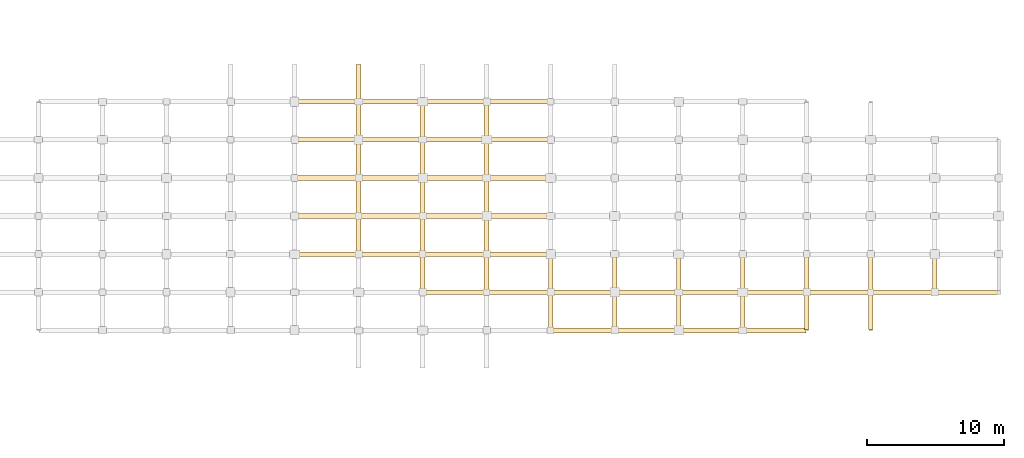
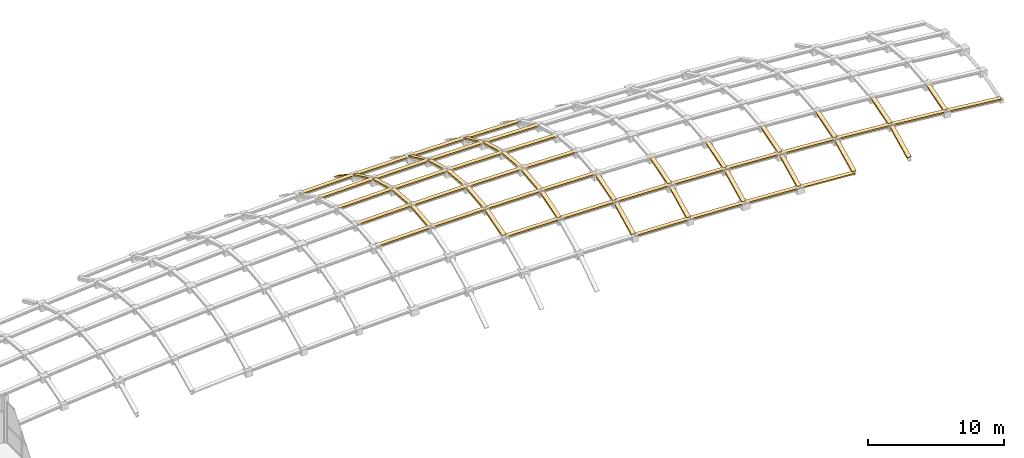
# One storey, part 34 of 36: 61 coverings.
"""IFC4 building model written with IfcOpenShell, lengths in metres."""

from ifc_helpers import new_model, si_unit, direction, frame, origin, place, context, subcontext, project, spatial, polyline, outline, extrude, material, layer, layer_set, type_object, element, save


model = new_model("IFC4")

# Units and contexts
model_context = context("Model", 3, precision=1e-05, world=origin(), true_north=direction((0.0, 1.0)))
body_context = subcontext(model_context, "Body", "Model", "MODEL_VIEW")
ifc_project = project(units=[si_unit("LENGTHUNIT", "METRE"), si_unit("AREAUNIT", "SQUARE_METRE"), si_unit("VOLUMEUNIT", "CUBIC_METRE"), si_unit("PLANEANGLEUNIT", "RADIAN"), si_unit("MASSUNIT", "GRAM", prefix="KILO")], contexts=[model_context])

# Site, building, storey
site_placement = place(None, origin())
site = spatial("IfcSite", under=ifc_project, at=site_placement, CompositionType="ELEMENT")
building_placement = place(site_placement, origin())
building = spatial("IfcBuilding", under=site, at=building_placement, Name="Quillay Park Conservatory", CompositionType="ELEMENT")
storey_placement = place(building_placement, frame((0.0, 0.0, 18.300048828125)))
storey = spatial("IfcBuildingStorey", under=building, at=storey_placement, Name="L04", CompositionType="ELEMENT", Elevation=18.300048828125)

# Coverings
ifc_material = material(Name="Thermally Broken Anodised Aluminium 6063-T6", Category="aluminium")
ifc_layer = layer(ifc_material, 0.090087890625)
ifc_layer_set = layer_set([ifc_layer], Name="GRIDSHELL GLAZING CAP BAR 90 (Thermally Broken Anodised Aluminium 6063-T6)")
covering_type = type_object("IfcCoveringType", Name="GRIDSHELL GLAZING CAP BAR 90", PredefinedType="CLADDING", material=ifc_layer_set)
covering_1_placement = place(storey_placement, frame((67.897216796875, 96.739990234375, 3.21435546875), z_axis=(0.0, -0.105607242225, 0.994407919513), x_axis=(1.0, 0.0, 0.0)))
element("IfcCovering", 1, at=covering_1_placement, inside=storey, type_object=covering_type, Name="Gridshell Transverse Glazing Cap Bar 08-04", PredefinedType="CLADDING", context=body_context, shape_type="SweptSolid", body=[
    extrude(outline(polyline([(0.0, 0.0), (0.35009765625, 0.0), (0.35009765625, 2.7001580951464286), (0.0, 2.7001580951464286), (0.0, 0.0)])), origin(), (0.0, 0.0, -1.0), 0.1201171875),
])
covering_2_placement = place(storey_placement, frame((67.897216796875, 99.52490234375, 3.49951171875), z_axis=(0.0, 0.086957947249, 0.996211983169), x_axis=(1.0, 0.0, 0.0)))
element("IfcCovering", 2, at=covering_2_placement, inside=storey, type_object=covering_type, Name="Gridshell Transverse Glazing Cap Bar 08-05", PredefinedType="CLADDING", context=body_context, shape_type="SweptSolid", body=[
    extrude(outline(polyline([(0.0, 0.0), (0.35009765625, 0.0), (0.35009765625, 2.6952683154921195), (0.0, 2.6952683154921195), (0.0, 0.0)])), origin(), (0.0, 0.0, -1.0), 0.1201171875),
])
covering_3_placement = place(storey_placement, frame((67.897216796875, 102.31005859375, 3.24560546875), z_axis=(0.0, 0.271622278609, 0.962403936901), x_axis=(1.0, 0.0, 0.0)))
element("IfcCovering", 3, at=covering_3_placement, inside=storey, type_object=covering_type, Name="Gridshell Transverse Glazing Cap Bar 08-06", PredefinedType="CLADDING", context=body_context, shape_type="SweptSolid", body=[
    extrude(outline(polyline([(0.0, 0.0), (0.35009765625, 0.0), (0.35009765625, 2.789949719444237), (0.0, 2.789949719444237), (0.0, 0.0)])), origin(), (0.0, 0.0, -1.0), 0.1201171875),
])
covering_4_placement = place(storey_placement, frame((67.897216796875, 105.094970703125, 2.45263671875), z_axis=(0.0, 0.429589332762, 0.903024365772), x_axis=(1.0, 0.0, 0.0)))
element("IfcCovering", 4, at=covering_4_placement, inside=storey, type_object=covering_type, Name="Gridshell Transverse Glazing Cap Bar 08-07", PredefinedType="CLADDING", context=body_context, shape_type="SweptSolid", body=[
    extrude(outline(polyline([(0.0, 0.0), (0.35009765625, 0.0), (0.35009765625, 2.973406582950739), (0.0, 2.973406582950739), (0.0, 0.0)])), origin(), (0.0, 0.0, -1.0), 0.1201171875),
])
covering_5_placement = place(storey_placement, frame((67.897216796875, 107.8798828125, 1.12060546875), z_axis=(0.0, 0.556164150236, 0.83107246254), x_axis=(1.0, 0.0, 0.0)))
element("IfcCovering", 5, at=covering_5_placement, inside=storey, type_object=covering_type, Name="Gridshell Transverse Glazing Cap Bar 08-08", PredefinedType="CLADDING", context=body_context, shape_type="SweptSolid", body=[
    extrude(outline(polyline([(0.0, 0.0), (0.35009765625, 0.0), (0.35009765625, 3.230835715027263), (0.0, 3.230835715027263), (0.0, 0.0)])), origin(), (0.0, 0.0, -1.0), 0.1201171875),
])
covering_6_placement = place(storey_placement, frame((72.574951171875, 93.955078125, 2.42529296875), z_axis=(0.0, -0.285820564514, 0.958283154866), x_axis=(1.0, 0.0, 0.0)))
element("IfcCovering", 6, at=covering_6_placement, inside=storey, type_object=covering_type, Name="Gridshell Transverse Glazing Cap Bar 09-03", PredefinedType="CLADDING", context=body_context, shape_type="SweptSolid", body=[
    extrude(outline(polyline([(0.0, 0.0), (0.35009765625, 0.0), (0.35009765625, 2.8016922132990367), (0.0, 2.8016922132990367), (0.0, 0.0)])), origin(), (0.0, 0.0, -1.0), 0.1201171875),
])
covering_7_placement = place(storey_placement, frame((72.574951171875, 96.739990234375, 3.24560546875), z_axis=(0.0, -0.105607242225, 0.994407919513), x_axis=(1.0, 0.0, 0.0)))
element("IfcCovering", 7, at=covering_7_placement, inside=storey, type_object=covering_type, Name="Gridshell Transverse Glazing Cap Bar 09-04", PredefinedType="CLADDING", context=body_context, shape_type="SweptSolid", body=[
    extrude(outline(polyline([(0.0, 0.0), (0.35009765625, 0.0), (0.35009765625, 2.7001580951464286), (0.0, 2.7001580951464286), (0.0, 0.0)])), origin(), (0.0, 0.0, -1.0), 0.1201171875),
])
covering_8_placement = place(storey_placement, frame((72.574951171875, 99.52490234375, 3.53076171875), z_axis=(0.0, 0.086957947249, 0.996211983169), x_axis=(1.0, 0.0, 0.0)))
element("IfcCovering", 8, at=covering_8_placement, inside=storey, type_object=covering_type, Name="Gridshell Transverse Glazing Cap Bar 09-05", PredefinedType="CLADDING", context=body_context, shape_type="SweptSolid", body=[
    extrude(outline(polyline([(0.0, 0.0), (0.35009765625, 0.0), (0.35009765625, 2.6952683154921195), (0.0, 2.6952683154921195), (0.0, 0.0)])), origin(), (0.0, 0.0, -1.0), 0.1201171875),
])
covering_9_placement = place(storey_placement, frame((72.574951171875, 102.31005859375, 3.27685546875), z_axis=(0.0, 0.271622278609, 0.962403936901), x_axis=(1.0, 0.0, 0.0)))
element("IfcCovering", 9, at=covering_9_placement, inside=storey, type_object=covering_type, Name="Gridshell Transverse Glazing Cap Bar 09-06", PredefinedType="CLADDING", context=body_context, shape_type="SweptSolid", body=[
    extrude(outline(polyline([(0.0, 0.0), (0.35009765625, 0.0), (0.35009765625, 2.789949719444237), (0.0, 2.789949719444237), (0.0, 0.0)])), origin(), (0.0, 0.0, -1.0), 0.1201171875),
])
covering_10_placement = place(storey_placement, frame((72.574951171875, 105.094970703125, 2.48388671875), z_axis=(0.0, 0.429589332762, 0.903024365772), x_axis=(1.0, 0.0, 0.0)))
element("IfcCovering", 10, at=covering_10_placement, inside=storey, type_object=covering_type, Name="Gridshell Transverse Glazing Cap Bar 09-07", PredefinedType="CLADDING", context=body_context, shape_type="SweptSolid", body=[
    extrude(outline(polyline([(0.0, 0.0), (0.35009765625, 0.0), (0.35009765625, 2.973406582950739), (0.0, 2.973406582950739), (0.0, 0.0)])), origin(), (0.0, 0.0, -1.0), 0.1201171875),
])
covering_11_placement = place(storey_placement, frame((77.252685546875, 93.955078125, 2.39404296875), z_axis=(0.0, -0.285820564514, 0.958283154866), x_axis=(1.0, 0.0, 0.0)))
element("IfcCovering", 11, at=covering_11_placement, inside=storey, type_object=covering_type, Name="Gridshell Transverse Glazing Cap Bar 10-03", PredefinedType="CLADDING", context=body_context, shape_type="SweptSolid", body=[
    extrude(outline(polyline([(0.0, 0.0), (0.35009765625, 0.0), (0.35009765625, 2.8016922132990367), (0.0, 2.8016922132990367), (0.0, 0.0)])), origin(), (0.0, 0.0, -1.0), 0.1201171875),
])
covering_12_placement = place(storey_placement, frame((77.252685546875, 96.739990234375, 3.21435546875), z_axis=(0.0, -0.105607242225, 0.994407919513), x_axis=(1.0, 0.0, 0.0)))
element("IfcCovering", 12, at=covering_12_placement, inside=storey, type_object=covering_type, Name="Gridshell Transverse Glazing Cap Bar 10-04", PredefinedType="CLADDING", context=body_context, shape_type="SweptSolid", body=[
    extrude(outline(polyline([(0.0, 0.0), (0.35009765625, 0.0), (0.35009765625, 2.7001580951464286), (0.0, 2.7001580951464286), (0.0, 0.0)])), origin(), (0.0, 0.0, -1.0), 0.1201171875),
])
covering_13_placement = place(storey_placement, frame((77.252685546875, 99.52490234375, 3.49951171875), z_axis=(0.0, 0.086957947249, 0.996211983169), x_axis=(1.0, 0.0, 0.0)))
element("IfcCovering", 13, at=covering_13_placement, inside=storey, type_object=covering_type, Name="Gridshell Transverse Glazing Cap Bar 10-05", PredefinedType="CLADDING", context=body_context, shape_type="SweptSolid", body=[
    extrude(outline(polyline([(0.0, 0.0), (0.35009765625, 0.0), (0.35009765625, 2.6952683154921195), (0.0, 2.6952683154921195), (0.0, 0.0)])), origin(), (0.0, 0.0, -1.0), 0.1201171875),
])
covering_14_placement = place(storey_placement, frame((77.252685546875, 102.31005859375, 3.24560546875), z_axis=(0.0, 0.271622278609, 0.962403936901), x_axis=(1.0, 0.0, 0.0)))
element("IfcCovering", 14, at=covering_14_placement, inside=storey, type_object=covering_type, Name="Gridshell Transverse Glazing Cap Bar 10-06", PredefinedType="CLADDING", context=body_context, shape_type="SweptSolid", body=[
    extrude(outline(polyline([(0.0, 0.0), (0.35009765625, 0.0), (0.35009765625, 2.789949719444237), (0.0, 2.789949719444237), (0.0, 0.0)])), origin(), (0.0, 0.0, -1.0), 0.1201171875),
])
covering_15_placement = place(storey_placement, frame((77.252685546875, 105.094970703125, 2.45263671875), z_axis=(0.0, 0.429589332762, 0.903024365772), x_axis=(1.0, 0.0, 0.0)))
element("IfcCovering", 15, at=covering_15_placement, inside=storey, type_object=covering_type, Name="Gridshell Transverse Glazing Cap Bar 10-07", PredefinedType="CLADDING", context=body_context, shape_type="SweptSolid", body=[
    extrude(outline(polyline([(0.0, 0.0), (0.35009765625, 0.0), (0.35009765625, 2.973406582950739), (0.0, 2.973406582950739), (0.0, 0.0)])), origin(), (0.0, 0.0, -1.0), 0.1201171875),
])
covering_16_placement = place(storey_placement, frame((81.9306640625, 91.169921875, 0.94873046875), z_axis=(0.0, -0.441263645499, 0.897377509837), x_axis=(1.0, 0.0, 0.0)))
element("IfcCovering", 16, at=covering_16_placement, inside=storey, type_object=covering_type, Name="Gridshell Transverse Glazing Cap Bar 11-02", PredefinedType="CLADDING", context=body_context, shape_type="SweptSolid", body=[
    extrude(outline(polyline([(0.0, 0.0), (0.349853515625, 0.0), (0.349853515625, 2.9921171015732284), (0.0, 2.9921171015732284), (0.0, 0.0)])), origin(), (0.0, 0.0, -1.0), 0.1201171875),
])
covering_17_placement = place(storey_placement, frame((81.9306640625, 93.955078125, 2.30810546875), z_axis=(0.0, -0.285820564514, 0.958283154866), x_axis=(1.0, 0.0, 0.0)))
element("IfcCovering", 17, at=covering_17_placement, inside=storey, type_object=covering_type, Name="Gridshell Transverse Glazing Cap Bar 11-03", PredefinedType="CLADDING", context=body_context, shape_type="SweptSolid", body=[
    extrude(outline(polyline([(0.0, 0.0), (0.349853515625, 0.0), (0.349853515625, 2.801692213299037), (0.0, 2.801692213299037), (0.0, 0.0)])), origin(), (0.0, 0.0, -1.0), 0.1201171875),
])
covering_18_placement = place(storey_placement, frame((86.6083984375, 91.169921875, 0.80029296875), z_axis=(0.0, -0.441263645499, 0.897377509837), x_axis=(1.0, 0.0, 0.0)))
element("IfcCovering", 18, at=covering_18_placement, inside=storey, type_object=covering_type, Name="Gridshell Transverse Glazing Cap Bar 12-02", PredefinedType="CLADDING", context=body_context, shape_type="SweptSolid", body=[
    extrude(outline(polyline([(0.0, 0.0), (0.349853515625, 0.0), (0.349853515625, 2.9921171015732284), (0.0, 2.9921171015732284), (0.0, 0.0)])), origin(), (0.0, 0.0, -1.0), 0.1201171875),
])
covering_19_placement = place(storey_placement, frame((86.6083984375, 93.955078125, 2.15966796875), z_axis=(0.0, -0.285820564514, 0.958283154866), x_axis=(1.0, 0.0, 0.0)))
element("IfcCovering", 19, at=covering_19_placement, inside=storey, type_object=covering_type, Name="Gridshell Transverse Glazing Cap Bar 12-03", PredefinedType="CLADDING", context=body_context, shape_type="SweptSolid", body=[
    extrude(outline(polyline([(0.0, 0.0), (0.349853515625, 0.0), (0.349853515625, 2.801692213299037), (0.0, 2.801692213299037), (0.0, 0.0)])), origin(), (0.0, 0.0, -1.0), 0.1201171875),
])
covering_20_placement = place(storey_placement, frame((91.2861328125, 91.169921875, 0.59716796875), z_axis=(0.0, -0.441263645499, 0.897377509837), x_axis=(1.0, 0.0, 0.0)))
element("IfcCovering", 20, at=covering_20_placement, inside=storey, type_object=covering_type, Name="Gridshell Transverse Glazing Cap Bar 13-02", PredefinedType="CLADDING", context=body_context, shape_type="SweptSolid", body=[
    extrude(outline(polyline([(0.0, 0.0), (0.349853515625, 0.0), (0.349853515625, 2.9921171015732284), (0.0, 2.9921171015732284), (0.0, 0.0)])), origin(), (0.0, 0.0, -1.0), 0.1201171875),
])
covering_21_placement = place(storey_placement, frame((91.2861328125, 93.955078125, 1.95654296875), z_axis=(0.0, -0.285820564514, 0.958283154866), x_axis=(1.0, 0.0, 0.0)))
element("IfcCovering", 21, at=covering_21_placement, inside=storey, type_object=covering_type, Name="Gridshell Transverse Glazing Cap Bar 13-03", PredefinedType="CLADDING", context=body_context, shape_type="SweptSolid", body=[
    extrude(outline(polyline([(0.0, 0.0), (0.349853515625, 0.0), (0.349853515625, 2.801692213299037), (0.0, 2.801692213299037), (0.0, 0.0)])), origin(), (0.0, 0.0, -1.0), 0.1201171875),
])
covering_22_placement = place(storey_placement, frame((95.9638671875, 91.169921875, 0.33544921875), z_axis=(0.0, -0.441263645499, 0.897377509837), x_axis=(1.0, 0.0, 0.0)))
element("IfcCovering", 22, at=covering_22_placement, inside=storey, type_object=covering_type, Name="Gridshell Transverse Glazing Cap Bar 14-02", PredefinedType="CLADDING", context=body_context, shape_type="SweptSolid", body=[
    extrude(outline(polyline([(0.0, 0.0), (0.35009765625, 0.0), (0.35009765625, 2.9921171015732284), (0.0, 2.9921171015732284), (0.0, 0.0)])), origin(), (0.0, 0.0, -1.0), 0.1201171875),
])
covering_23_placement = place(storey_placement, frame((95.9638671875, 93.955078125, 1.69482421875), z_axis=(0.0, -0.285820564514, 0.958283154866), x_axis=(1.0, 0.0, 0.0)))
element("IfcCovering", 23, at=covering_23_placement, inside=storey, type_object=covering_type, Name="Gridshell Transverse Glazing Cap Bar 14-03", PredefinedType="CLADDING", context=body_context, shape_type="SweptSolid", body=[
    extrude(outline(polyline([(0.0, 0.0), (0.35009765625, 0.0), (0.35009765625, 2.8016922132990367), (0.0, 2.8016922132990367), (0.0, 0.0)])), origin(), (0.0, 0.0, -1.0), 0.1201171875),
])
covering_24_placement = place(storey_placement, frame((100.6416015625, 91.169921875, 0.01513671875), z_axis=(0.0, -0.441263645499, 0.897377509837), x_axis=(1.0, 0.0, 0.0)))
element("IfcCovering", 24, at=covering_24_placement, inside=storey, type_object=covering_type, Name="Gridshell Transverse Glazing Cap Bar 15-02", PredefinedType="CLADDING", context=body_context, shape_type="SweptSolid", body=[
    extrude(outline(polyline([(0.0, 0.0), (0.35009765625, 0.0), (0.35009765625, 2.9921171015732284), (0.0, 2.9921171015732284), (0.0, 0.0)])), origin(), (0.0, 0.0, -1.0), 0.1201171875),
])
covering_25_placement = place(storey_placement, frame((100.6416015625, 93.955078125, 1.37451171875), z_axis=(0.0, -0.285820564514, 0.958283154866), x_axis=(1.0, 0.0, 0.0)))
element("IfcCovering", 25, at=covering_25_placement, inside=storey, type_object=covering_type, Name="Gridshell Transverse Glazing Cap Bar 15-03", PredefinedType="CLADDING", context=body_context, shape_type="SweptSolid", body=[
    extrude(outline(polyline([(0.0, 0.0), (0.35009765625, 0.0), (0.35009765625, 2.8016922132990367), (0.0, 2.8016922132990367), (0.0, 0.0)])), origin(), (0.0, 0.0, -1.0), 0.1201171875),
])
covering_26_placement = place(storey_placement, frame((105.3193359375, 91.169921875, -0.36376953125), z_axis=(0.0, -0.441263645499, 0.897377509837), x_axis=(1.0, 0.0, 0.0)))
element("IfcCovering", 26, at=covering_26_placement, inside=storey, type_object=covering_type, Name="Gridshell Transverse Glazing Cap Bar 16-02", PredefinedType="CLADDING", context=body_context, shape_type="SweptSolid", body=[
    extrude(outline(polyline([(0.0, 0.0), (0.35009765625, 0.0), (0.35009765625, 2.9921171015732284), (0.0, 2.9921171015732284), (0.0, 0.0)])), origin(), (0.0, 0.0, -1.0), 0.1201171875),
])
covering_27_placement = place(storey_placement, frame((105.3193359375, 93.955078125, 0.99560546875), z_axis=(0.0, -0.285820564514, 0.958283154866), x_axis=(1.0, 0.0, 0.0)))
element("IfcCovering", 27, at=covering_27_placement, inside=storey, type_object=covering_type, Name="Gridshell Transverse Glazing Cap Bar 16-03", PredefinedType="CLADDING", context=body_context, shape_type="SweptSolid", body=[
    extrude(outline(polyline([(0.0, 0.0), (0.35009765625, 0.0), (0.35009765625, 2.8016922132990367), (0.0, 2.8016922132990367), (0.0, 0.0)])), origin(), (0.0, 0.0, -1.0), 0.1201171875),
])
covering_28_placement = place(storey_placement, frame((109.997314453125, 93.955078125, 0.55810546875), z_axis=(0.0, -0.285820564514, 0.958283154866), x_axis=(1.0, 0.0, 0.0)))
element("IfcCovering", 28, at=covering_28_placement, inside=storey, type_object=covering_type, Name="Gridshell Transverse Glazing Cap Bar 17-03", PredefinedType="CLADDING", context=body_context, shape_type="SweptSolid", body=[
    extrude(outline(polyline([(0.0, 0.0), (0.349853515625, 0.0), (0.349853515625, 2.801692213299037), (0.0, 2.801692213299037), (0.0, 0.0)])), origin(), (0.0, 0.0, -1.0), 0.1201171875),
])
covering_29_placement = place(storey_placement, frame((82.155517578125, 90.945068359375, 0.91357421875), z_axis=(0.030703878741, 0.0, 0.999528524771), x_axis=(0.999528524771, 0.0, -0.030703878741)))
element("IfcCovering", 29, at=covering_29_placement, inside=storey, type_object=covering_type, Name="Gridshell Longitudinal Glazing Cap Bar 11-02", PredefinedType="CLADDING", context=body_context, shape_type="SweptSolid", body=[
    extrude(outline(polyline([(0.0, 0.0), (4.580040234894994, 0.0), (4.580040234894994, 0.349853515625), (0.0, 0.349853515625), (0.0, 0.0)])), origin(), (0.0, 0.0, -1.0), 0.1201171875),
])
covering_30_placement = place(storey_placement, frame((86.833251953125, 90.945068359375, 0.76904296875), z_axis=(0.043476530855, 0.0, 0.999054448599), x_axis=(0.999054448599, 0.0, -0.043476530855)))
element("IfcCovering", 30, at=covering_30_placement, inside=storey, type_object=covering_type, Name="Gridshell Longitudinal Glazing Cap Bar 12-02", PredefinedType="CLADDING", context=body_context, shape_type="SweptSolid", body=[
    extrude(outline(polyline([(0.0, 0.0), (4.582213577844616, 0.0), (4.582213577844616, 0.349853515625), (0.0, 0.349853515625), (0.0, 0.0)])), origin(), (0.0, 0.0, -1.0), 0.1201171875),
])
covering_31_placement = place(storey_placement, frame((91.510986328125, 90.945068359375, 0.56591796875), z_axis=(0.056227900695, 0.0, 0.998417960167), x_axis=(0.998417960167, 0.0, -0.056227900695)))
element("IfcCovering", 31, at=covering_31_placement, inside=storey, type_object=covering_type, Name="Gridshell Longitudinal Glazing Cap Bar 13-02", PredefinedType="CLADDING", context=body_context, shape_type="SweptSolid", body=[
    extrude(outline(polyline([(0.0, 0.0), (4.585134725151295, 0.0), (4.585134725151295, 0.349853515625), (0.0, 0.349853515625), (0.0, 0.0)])), origin(), (0.0, 0.0, -1.0), 0.1201171875),
])
covering_32_placement = place(storey_placement, frame((96.18896484375, 90.945068359375, 0.30029296875), z_axis=(0.068108147653, 0.0, 0.99767794414), x_axis=(0.99767794414, 0.0, -0.068108147653)))
element("IfcCovering", 32, at=covering_32_placement, inside=storey, type_object=covering_type, Name="Gridshell Longitudinal Glazing Cap Bar 14-02", PredefinedType="CLADDING", context=body_context, shape_type="SweptSolid", body=[
    extrude(outline(polyline([(0.0, 0.0), (4.588290986723518, 0.0), (4.588290986723518, 0.349853515625), (0.0, 0.349853515625), (0.0, 0.0)])), origin(), (0.0, 0.0, -1.0), 0.1201171875),
])
covering_33_placement = place(storey_placement, frame((72.800048828125, 93.72998046875, 2.40576171875), z_axis=(0.006826507599, 0.0, 0.999976699126), x_axis=(0.999976699126, 0.0, -0.006826507599)))
element("IfcCovering", 33, at=covering_33_placement, inside=storey, type_object=covering_type, Name="Gridshell Longitudinal Glazing Cap Bar 09-03", PredefinedType="CLADDING", context=body_context, shape_type="SweptSolid", body=[
    extrude(outline(polyline([(0.0, 0.0), (4.577743384173939, 0.0), (4.577743384173939, 0.35009765625), (0.0, 0.35009765625), (0.0, 0.0)])), origin(), (0.0, 0.0, -1.0), 0.1201171875),
])
covering_34_placement = place(storey_placement, frame((77.477783203125, 93.72998046875, 2.37451171875), z_axis=(0.018769025327, 0.0, 0.999823846329), x_axis=(0.999823846329, 0.0, -0.018769025327)))
element("IfcCovering", 34, at=covering_34_placement, inside=storey, type_object=covering_type, Name="Gridshell Longitudinal Glazing Cap Bar 10-03", PredefinedType="CLADDING", context=body_context, shape_type="SweptSolid", body=[
    extrude(outline(polyline([(0.0, 0.0), (4.578687411970623, 0.0), (4.578687411970623, 0.35009765625), (0.0, 0.35009765625), (0.0, 0.0)])), origin(), (0.0, 0.0, -1.0), 0.1201171875),
])
covering_35_placement = place(storey_placement, frame((82.155517578125, 93.72998046875, 2.28466796875), z_axis=(0.030703878741, 0.0, 0.999528524771), x_axis=(0.999528524771, 0.0, -0.030703878741)))
element("IfcCovering", 35, at=covering_35_placement, inside=storey, type_object=covering_type, Name="Gridshell Longitudinal Glazing Cap Bar 11-03", PredefinedType="CLADDING", context=body_context, shape_type="SweptSolid", body=[
    extrude(outline(polyline([(0.0, 0.0), (4.580040234894994, 0.0), (4.580040234894994, 0.35009765625), (0.0, 0.35009765625), (0.0, 0.0)])), origin(), (0.0, 0.0, -1.0), 0.1201171875),
])
covering_36_placement = place(storey_placement, frame((86.833251953125, 93.72998046875, 2.14013671875), z_axis=(0.043476530855, 0.0, 0.999054448599), x_axis=(0.999054448599, 0.0, -0.043476530855)))
element("IfcCovering", 36, at=covering_36_placement, inside=storey, type_object=covering_type, Name="Gridshell Longitudinal Glazing Cap Bar 12-03", PredefinedType="CLADDING", context=body_context, shape_type="SweptSolid", body=[
    extrude(outline(polyline([(0.0, 0.0), (4.582213577844616, 0.0), (4.582213577844616, 0.35009765625000006), (0.0, 0.35009765625000006), (0.0, 0.0)])), origin(), (0.0, 0.0, -1.0), 0.1201171875),
])
covering_37_placement = place(storey_placement, frame((91.510986328125, 93.72998046875, 1.93701171875), z_axis=(0.056227900695, 0.0, 0.998417960167), x_axis=(0.998417960167, 0.0, -0.056227900695)))
element("IfcCovering", 37, at=covering_37_placement, inside=storey, type_object=covering_type, Name="Gridshell Longitudinal Glazing Cap Bar 13-03", PredefinedType="CLADDING", context=body_context, shape_type="SweptSolid", body=[
    extrude(outline(polyline([(0.0, 0.0), (4.585134725151295, 0.0), (4.585134725151295, 0.35009765625), (0.0, 0.35009765625), (0.0, 0.0)])), origin(), (0.0, 0.0, -1.0), 0.1201171875),
])
covering_38_placement = place(storey_placement, frame((96.18896484375, 93.72998046875, 1.67138671875), z_axis=(0.068108147653, 0.0, 0.99767794414), x_axis=(0.99767794414, 0.0, -0.068108147653)))
element("IfcCovering", 38, at=covering_38_placement, inside=storey, type_object=covering_type, Name="Gridshell Longitudinal Glazing Cap Bar 14-03", PredefinedType="CLADDING", context=body_context, shape_type="SweptSolid", body=[
    extrude(outline(polyline([(0.0, 0.0), (4.588290986723518, 0.0), (4.588290986723518, 0.35009765625), (0.0, 0.35009765625), (0.0, 0.0)])), origin(), (0.0, 0.0, -1.0), 0.1201171875),
])
covering_39_placement = place(storey_placement, frame((100.86669921875, 93.72998046875, 1.35107421875), z_axis=(0.080801595311, 0.0, 0.996730205319), x_axis=(0.996730205319, 0.0, -0.080801595311)))
element("IfcCovering", 39, at=covering_39_placement, inside=storey, type_object=covering_type, Name="Gridshell Longitudinal Glazing Cap Bar 15-03", PredefinedType="CLADDING", context=body_context, shape_type="SweptSolid", body=[
    extrude(outline(polyline([(0.0, 0.0), (4.592653753565289, 0.0), (4.592653753565289, 0.35009765625), (0.0, 0.35009765625), (0.0, 0.0)])), origin(), (0.0, 0.0, -1.0), 0.1201171875),
])
covering_40_placement = place(storey_placement, frame((105.54443359375, 93.72998046875, 0.97216796875), z_axis=(0.093450911608, 0.0, 0.995623888383), x_axis=(0.995623888383, 0.0, -0.093450911608)))
element("IfcCovering", 40, at=covering_40_placement, inside=storey, type_object=covering_type, Name="Gridshell Longitudinal Glazing Cap Bar 16-03", PredefinedType="CLADDING", context=body_context, shape_type="SweptSolid", body=[
    extrude(outline(polyline([(0.0, 0.0), (4.5980022303483326, 0.0), (4.5980022303483326, 0.35009765624999994), (0.0, 0.35009765624999994), (0.0, 0.0)])), origin(), (0.0, 0.0, -1.0), 0.1201171875),
])
covering_41_placement = place(storey_placement, frame((110.22216796875, 93.72998046875, 0.53466796875), z_axis=(0.105220344611, 0.0, 0.994448932364), x_axis=(0.994448932364, 0.0, -0.105220344611)))
element("IfcCovering", 41, at=covering_41_placement, inside=storey, type_object=covering_type, Name="Gridshell Longitudinal Glazing Cap Bar 17-03", PredefinedType="CLADDING", context=body_context, shape_type="SweptSolid", body=[
    extrude(outline(polyline([(0.0, 0.0), (4.603434837516112, 0.0), (4.603434837516112, 0.35009765625), (0.0, 0.35009765625), (0.0, 0.0)])), origin(), (0.0, 0.0, -1.0), 0.1201171875),
])
covering_42_placement = place(storey_placement, frame((63.4443359375, 96.514892578125, 3.12060546875), z_axis=(-0.018769025327, 0.0, 0.999823846329), x_axis=(0.999823846329, 0.0, 0.018769025327)))
element("IfcCovering", 42, at=covering_42_placement, inside=storey, type_object=covering_type, Name="Gridshell Longitudinal Glazing Cap Bar 07-04", PredefinedType="CLADDING", context=body_context, shape_type="SweptSolid", body=[
    extrude(outline(polyline([(0.0, 0.0), (4.578687411970623, 0.0), (4.578687411970623, 0.35009765625), (0.0, 0.35009765625), (0.0, 0.0)])), origin(), (0.0, 0.0, -1.0), 0.1201171875),
])
for number, where, z_axis, x_axis, name in (
    (43, (68.122314453125, 96.514892578125, 3.20654296875), (-0.006826507599, 0.0, 0.999976699126), (0.999976699126, 0.0, 0.006826507599), "Gridshell Longitudinal Glazing Cap Bar 08-04"),
    (44, (72.800048828125, 96.514892578125, 3.23779296875), (0.006826507599, 0.0, 0.999976699126), (0.999976699126, 0.0, -0.006826507599), "Gridshell Longitudinal Glazing Cap Bar 09-04"),
):
    element("IfcCovering", number, at=place(storey_placement, frame(where, z_axis=z_axis, x_axis=x_axis)), inside=storey, type_object=covering_type, Name=name, PredefinedType="CLADDING", context=body_context, shape_type="SweptSolid", body=[
        extrude(outline(polyline([(0.0, 0.0), (4.577743384173939, 0.0), (4.577743384173939, 0.35009765625), (0.0, 0.35009765625), (0.0, 0.0)])), origin(), (0.0, 0.0, -1.0), 0.1201171875),
    ])
covering_43_placement = place(storey_placement, frame((77.477783203125, 96.514892578125, 3.20654296875), z_axis=(0.018769025327, 0.0, 0.999823846329), x_axis=(0.999823846329, 0.0, -0.018769025327)))
element("IfcCovering", 45, at=covering_43_placement, inside=storey, type_object=covering_type, Name="Gridshell Longitudinal Glazing Cap Bar 10-04", PredefinedType="CLADDING", context=body_context, shape_type="SweptSolid", body=[
    extrude(outline(polyline([(0.0, 0.0), (4.578687411970623, 0.0), (4.578687411970623, 0.35009765625), (0.0, 0.35009765625), (0.0, 0.0)])), origin(), (0.0, 0.0, -1.0), 0.1201171875),
])
covering_44_placement = place(storey_placement, frame((63.4443359375, 99.300048828125, 3.41357421875), z_axis=(-0.018769025327, 0.0, 0.999823846329), x_axis=(0.999823846329, 0.0, 0.018769025327)))
element("IfcCovering", 46, at=covering_44_placement, inside=storey, type_object=covering_type, Name="Gridshell Longitudinal Glazing Cap Bar 07-05", PredefinedType="CLADDING", context=body_context, shape_type="SweptSolid", body=[
    extrude(outline(polyline([(0.0, 0.0), (4.578687411970623, 0.0), (4.578687411970623, 0.349853515625), (0.0, 0.349853515625), (0.0, 0.0)])), origin(), (0.0, 0.0, -1.0), 0.1201171875),
])
for number, where, z_axis, x_axis, name in (
    (47, (68.122314453125, 99.300048828125, 3.49951171875), (-0.006826507599, 0.0, 0.999976699126), (0.999976699126, 0.0, 0.006826507599), "Gridshell Longitudinal Glazing Cap Bar 08-05"),
    (48, (72.800048828125, 99.300048828125, 3.53076171875), (0.006826507599, 0.0, 0.999976699126), (0.999976699126, 0.0, -0.006826507599), "Gridshell Longitudinal Glazing Cap Bar 09-05"),
):
    element("IfcCovering", number, at=place(storey_placement, frame(where, z_axis=z_axis, x_axis=x_axis)), inside=storey, type_object=covering_type, Name=name, PredefinedType="CLADDING", context=body_context, shape_type="SweptSolid", body=[
        extrude(outline(polyline([(0.0, 0.0), (4.577743384173939, 0.0), (4.577743384173939, 0.349853515625), (0.0, 0.349853515625), (0.0, 0.0)])), origin(), (0.0, 0.0, -1.0), 0.1201171875),
    ])
covering_45_placement = place(storey_placement, frame((77.477783203125, 99.300048828125, 3.49951171875), z_axis=(0.018769025327, 0.0, 0.999823846329), x_axis=(0.999823846329, 0.0, -0.018769025327)))
element("IfcCovering", 49, at=covering_45_placement, inside=storey, type_object=covering_type, Name="Gridshell Longitudinal Glazing Cap Bar 10-05", PredefinedType="CLADDING", context=body_context, shape_type="SweptSolid", body=[
    extrude(outline(polyline([(0.0, 0.0), (4.578687411970623, 0.0), (4.578687411970623, 0.349853515625), (0.0, 0.349853515625), (0.0, 0.0)])), origin(), (0.0, 0.0, -1.0), 0.1201171875),
])
covering_46_placement = place(storey_placement, frame((63.4443359375, 102.0849609375, 3.16748046875), z_axis=(-0.018769025327, 0.0, 0.999823846329), x_axis=(0.999823846329, 0.0, 0.018769025327)))
element("IfcCovering", 50, at=covering_46_placement, inside=storey, type_object=covering_type, Name="Gridshell Longitudinal Glazing Cap Bar 07-06", PredefinedType="CLADDING", context=body_context, shape_type="SweptSolid", body=[
    extrude(outline(polyline([(0.0, 0.0), (4.578687411970623, 0.0), (4.578687411970623, 0.35009765625), (0.0, 0.35009765625), (0.0, 0.0)])), origin(), (0.0, 0.0, -1.0), 0.1201171875),
])
for number, where, z_axis, x_axis, name in (
    (51, (68.122314453125, 102.0849609375, 3.25341796875), (-0.006826507599, 0.0, 0.999976699126), (0.999976699126, 0.0, 0.006826507599), "Gridshell Longitudinal Glazing Cap Bar 08-06"),
    (52, (72.800048828125, 102.0849609375, 3.28466796875), (0.006826507599, 0.0, 0.999976699126), (0.999976699126, 0.0, -0.006826507599), "Gridshell Longitudinal Glazing Cap Bar 09-06"),
):
    element("IfcCovering", number, at=place(storey_placement, frame(where, z_axis=z_axis, x_axis=x_axis)), inside=storey, type_object=covering_type, Name=name, PredefinedType="CLADDING", context=body_context, shape_type="SweptSolid", body=[
        extrude(outline(polyline([(0.0, 0.0), (4.577743384173939, 0.0), (4.577743384173939, 0.35009765625), (0.0, 0.35009765625), (0.0, 0.0)])), origin(), (0.0, 0.0, -1.0), 0.1201171875),
    ])
covering_47_placement = place(storey_placement, frame((77.477783203125, 102.0849609375, 3.25341796875), z_axis=(0.018769025327, 0.0, 0.999823846329), x_axis=(0.999823846329, 0.0, -0.018769025327)))
element("IfcCovering", 53, at=covering_47_placement, inside=storey, type_object=covering_type, Name="Gridshell Longitudinal Glazing Cap Bar 10-06", PredefinedType="CLADDING", context=body_context, shape_type="SweptSolid", body=[
    extrude(outline(polyline([(0.0, 0.0), (4.578687411970623, 0.0), (4.578687411970623, 0.35009765625), (0.0, 0.35009765625), (0.0, 0.0)])), origin(), (0.0, 0.0, -1.0), 0.1201171875),
])
covering_48_placement = place(storey_placement, frame((63.4443359375, 104.8701171875, 2.38623046875), z_axis=(-0.018769025327, 0.0, 0.999823846329), x_axis=(0.999823846329, 0.0, 0.018769025327)))
element("IfcCovering", 54, at=covering_48_placement, inside=storey, type_object=covering_type, Name="Gridshell Longitudinal Glazing Cap Bar 07-07", PredefinedType="CLADDING", context=body_context, shape_type="SweptSolid", body=[
    extrude(outline(polyline([(0.0, 0.0), (4.578687411970623, 0.0), (4.578687411970623, 0.349853515625), (0.0, 0.349853515625), (0.0, 0.0)])), origin(), (0.0, 0.0, -1.0), 0.1201171875),
])
for number, where, z_axis, x_axis, name in (
    (55, (68.122314453125, 104.8701171875, 2.47216796875), (-0.006826507599, 0.0, 0.999976699126), (0.999976699126, 0.0, 0.006826507599), "Gridshell Longitudinal Glazing Cap Bar 08-07"),
    (56, (72.800048828125, 104.8701171875, 2.50341796875), (0.006826507599, 0.0, 0.999976699126), (0.999976699126, 0.0, -0.006826507599), "Gridshell Longitudinal Glazing Cap Bar 09-07"),
):
    element("IfcCovering", number, at=place(storey_placement, frame(where, z_axis=z_axis, x_axis=x_axis)), inside=storey, type_object=covering_type, Name=name, PredefinedType="CLADDING", context=body_context, shape_type="SweptSolid", body=[
        extrude(outline(polyline([(0.0, 0.0), (4.577743384173939, 0.0), (4.577743384173939, 0.349853515625), (0.0, 0.349853515625), (0.0, 0.0)])), origin(), (0.0, 0.0, -1.0), 0.1201171875),
    ])
for number, where, z_axis, x_axis, name in (
    (57, (77.477783203125, 104.8701171875, 2.47216796875), (0.018769025327, 0.0, 0.999823846329), (0.999823846329, 0.0, -0.018769025327), "Gridshell Longitudinal Glazing Cap Bar 10-07"),
    (58, (63.4443359375, 107.655029296875, 1.06201171875), (-0.018769025327, 0.0, 0.999823846329), (0.999823846329, 0.0, 0.018769025327), "Gridshell Longitudinal Glazing Cap Bar 07-08"),
):
    element("IfcCovering", number, at=place(storey_placement, frame(where, z_axis=z_axis, x_axis=x_axis)), inside=storey, type_object=covering_type, Name=name, PredefinedType="CLADDING", context=body_context, shape_type="SweptSolid", body=[
        extrude(outline(polyline([(0.0, 0.0), (4.578687411970623, 0.0), (4.578687411970623, 0.349853515625), (0.0, 0.349853515625), (0.0, 0.0)])), origin(), (0.0, 0.0, -1.0), 0.1201171875),
    ])
for number, where, z_axis, x_axis, name in (
    (59, (68.122314453125, 107.655029296875, 1.14794921875), (-0.006826507599, 0.0, 0.999976699126), (0.999976699126, 0.0, 0.006826507599), "Gridshell Longitudinal Glazing Cap Bar 08-08"),
    (60, (72.800048828125, 107.655029296875, 1.17919921875), (0.006826507599, 0.0, 0.999976699126), (0.999976699126, 0.0, -0.006826507599), "Gridshell Longitudinal Glazing Cap Bar 09-08"),
):
    element("IfcCovering", number, at=place(storey_placement, frame(where, z_axis=z_axis, x_axis=x_axis)), inside=storey, type_object=covering_type, Name=name, PredefinedType="CLADDING", context=body_context, shape_type="SweptSolid", body=[
        extrude(outline(polyline([(0.0, 0.0), (4.577743384173939, 0.0), (4.577743384173939, 0.349853515625), (0.0, 0.349853515625), (0.0, 0.0)])), origin(), (0.0, 0.0, -1.0), 0.1201171875),
    ])
covering_49_placement = place(storey_placement, frame((77.477783203125, 107.655029296875, 1.14794921875), z_axis=(0.018769025327, 0.0, 0.999823846329), x_axis=(0.999823846329, 0.0, -0.018769025327)))
element("IfcCovering", 61, at=covering_49_placement, inside=storey, type_object=covering_type, Name="Gridshell Longitudinal Glazing Cap Bar 10-08", PredefinedType="CLADDING", context=body_context, shape_type="SweptSolid", body=[
    extrude(outline(polyline([(0.0, 0.0), (4.578687411970623, 0.0), (4.578687411970623, 0.349853515625), (0.0, 0.349853515625), (0.0, 0.0)])), origin(), (0.0, 0.0, -1.0), 0.1201171875),
])

save(model, "model.ifc")
